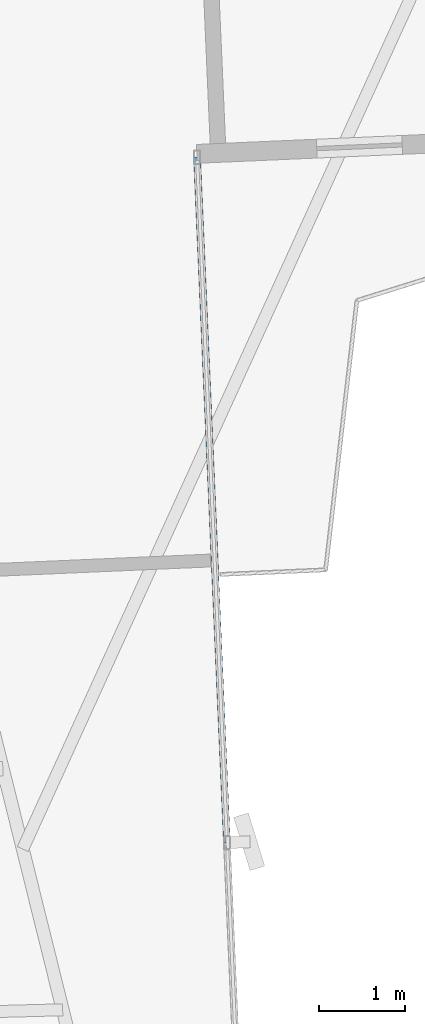
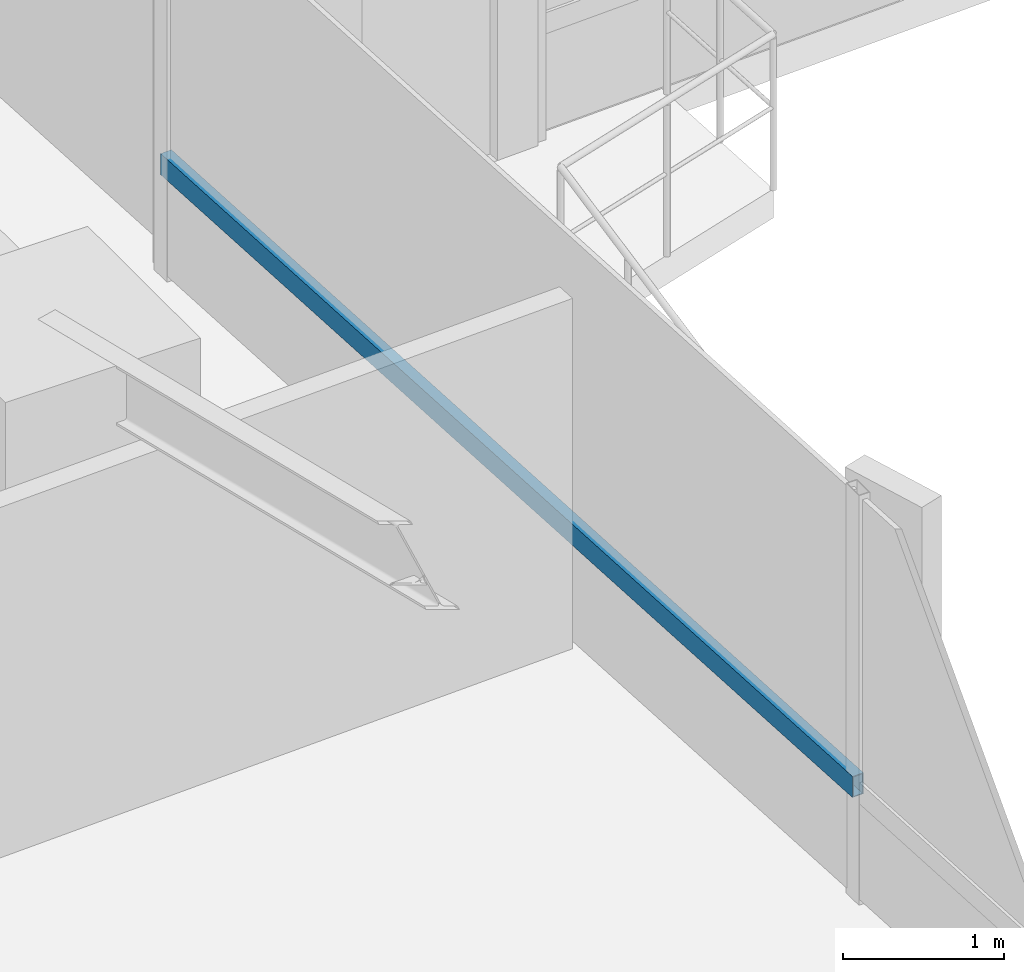
# One storey, part 7 of 26: 1 member, 1 element without a shape of its own.
"""IFC4 building model written with IfcOpenShell, lengths in metres."""

from ifc_helpers import new_model, si_unit, direction, frame, origin, origin_2d, place, context, subcontext, project, spatial, hollow_rectangle, extrude, source, transform, mapped, material, material_profile, profile_set, type_object, element, aggregate, save


model = new_model("IFC4")

# Units and contexts
model_context = context("Model", 3, precision=1e-05, world=origin(), true_north=direction((0.0, 1.0)))
body_context = subcontext(model_context, "Body", "Model", "MODEL_VIEW")
ifc_project = project(units=[si_unit("LENGTHUNIT", "METRE"), si_unit("AREAUNIT", "SQUARE_METRE"), si_unit("VOLUMEUNIT", "CUBIC_METRE"), si_unit("PLANEANGLEUNIT", "RADIAN"), si_unit("MASSUNIT", "GRAM", prefix="KILO")], contexts=[model_context])

# Site, building, storey
site_placement = place(None, origin())
site = spatial("IfcSite", under=ifc_project, at=site_placement, CompositionType="ELEMENT")
building_placement = place(site_placement, origin())
building = spatial("IfcBuilding", under=site, at=building_placement, Name="Sahyath Konkavel Grand Hotel", CompositionType="ELEMENT")
storey_placement = place(building_placement, frame((0.0, 0.0, 131.550048828125)))
storey = spatial("IfcBuildingStorey", under=building, at=storey_placement, Name="L36", CompositionType="ELEMENT", Elevation=131.550048828125)

# Curtain wall, member
ifc_material_1 = material(Name="Anodised Bronze Aluminium & Low-E Glazing", Category="aluminium")
curtain_wall_type = type_object("IfcCurtainWallType", Name="CW-ZONE2", PredefinedType="NOTDEFINED", material=ifc_material_1)
curtain_wall_placement = place(storey_placement, origin())
curtain_wall = element("IfcCurtainWall", 1, at=curtain_wall_placement, inside=storey, type_object=curtain_wall_type, Name="L36 Unitised Curtain Wall F31", PredefinedType="NOTDEFINED")
ifc_material_2 = material(Name="Anodised Bronze Aluminium", Category="aluminium")
ifc_material_profile = material_profile(ifc_material_2, hollow_rectangle(XDim=0.080078125, YDim=0.159912109375, WallThickness=0.006103515625, at=origin_2d()), Name="RHS 160x80x6")
ifc_profile_set = profile_set([ifc_material_profile], Name="Anodised Bronze Aluminium")
member_type = type_object("IfcMemberType", Name="CW-TRN-160", PredefinedType="USERDEFINED", material=ifc_profile_set)
shared_shape = source(origin(), body_context, "Body", "SweptSolid", [
    extrude(hollow_rectangle(XDim=0.080078125, YDim=0.159912109375, WallThickness=0.006103515625, at=origin_2d()), origin(), (0.0, 0.0, 1.0), 8.010009765625),
])
member_placement = place(storey_placement, frame((7.232666015625, -14.34814453125, 0.849853515625), z_axis=(-0.043615785896, 0.999048378819, 0.0), x_axis=(-0.999048378819, -0.043615785896, 0.0)))
member = element("IfcMember", 2, at=member_placement, type_object=member_type, Name="L36 Curtain Wall Transom F31-1-spandrel", ObjectType="TRANSOM", PredefinedType="USERDEFINED", context=body_context, shape_type="MappedRepresentation", body=[
    mapped(shared_shape, transform((0.0, 0.0, 0.0), scale=1.0)),
])
aggregate(curtain_wall, [member])

save(model, "model.ifc")
